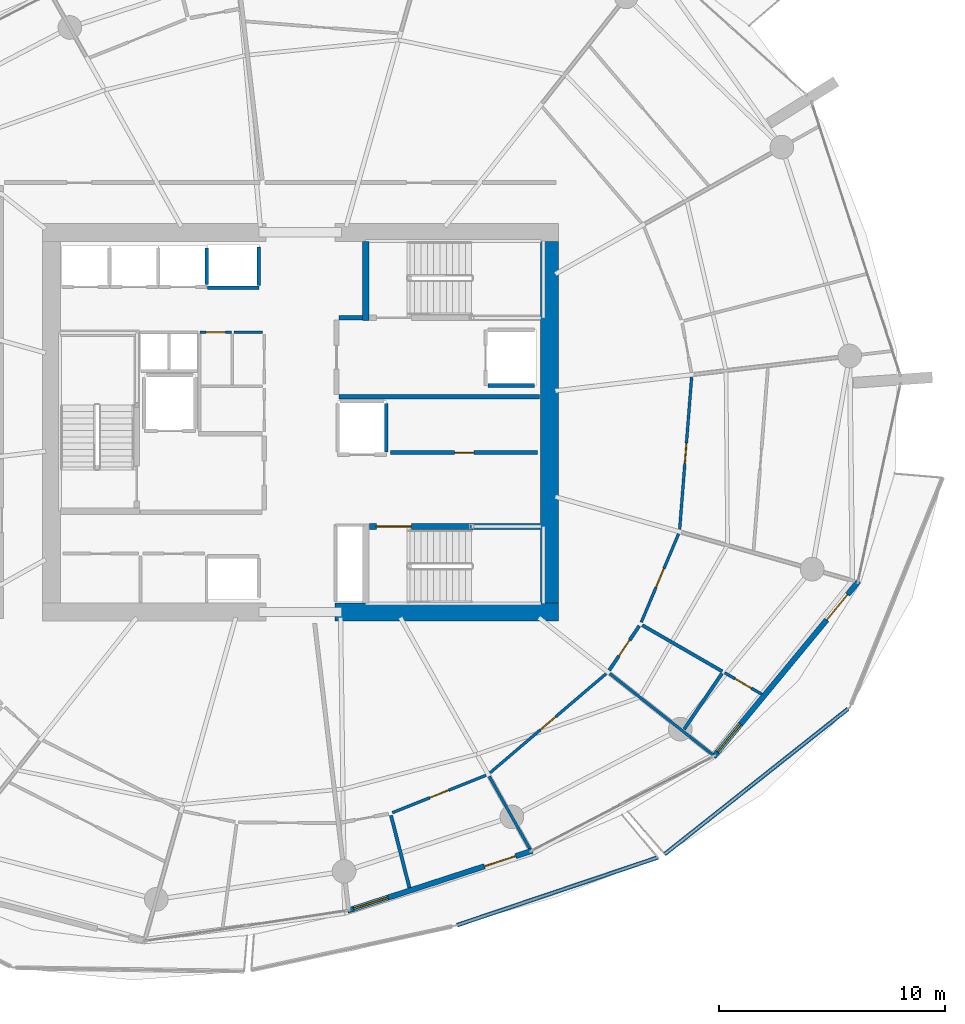
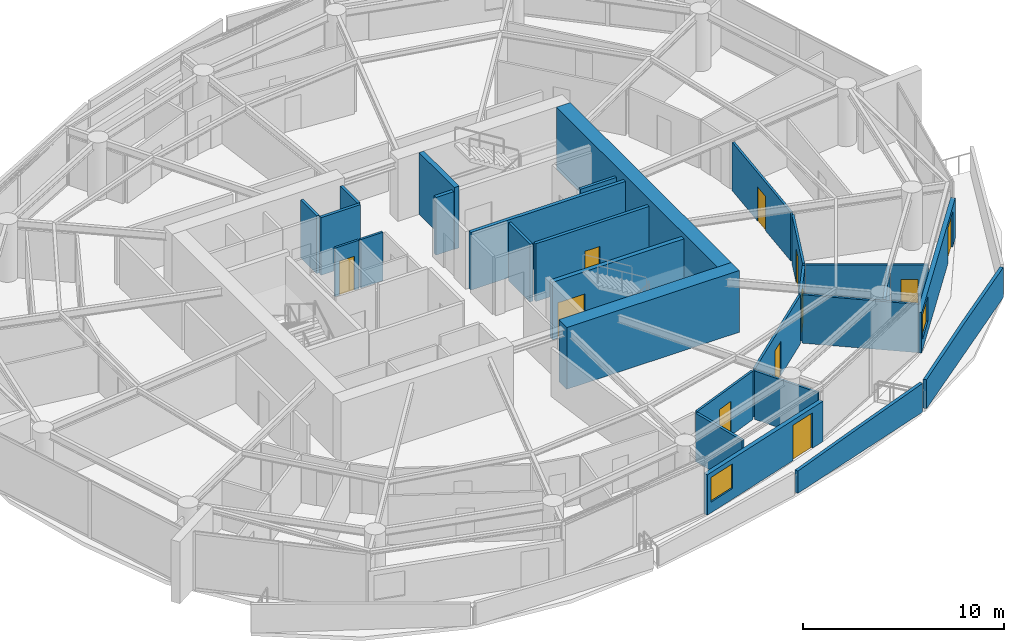
# One storey, part 13 of 20: 29 walls, 11 doors, 2 windows, 13 openings.
"""IFC4 building model written with IfcOpenShell, lengths in metres."""

from ifc_helpers import new_model, si_unit, direction, frame, frame_2d, origin, place, context, subcontext, project, spatial, polyline, rectangle, outline, extrude, material, layer, layer_set, type_object, element, fill, save


model = new_model("IFC4")

# Units and contexts
model_context = context("Model", 3, precision=1e-05, world=origin(), true_north=direction((0.0, 1.0)))
body_context = subcontext(model_context, "Body", "Model", "MODEL_VIEW")
ifc_project = project(units=[si_unit("LENGTHUNIT", "METRE"), si_unit("AREAUNIT", "SQUARE_METRE"), si_unit("VOLUMEUNIT", "CUBIC_METRE"), si_unit("PLANEANGLEUNIT", "RADIAN"), si_unit("MASSUNIT", "GRAM", prefix="KILO")], contexts=[model_context])

# Site, building, storey
site_placement = place(None, origin())
site = spatial("IfcSite", under=ifc_project, at=site_placement, CompositionType="ELEMENT")
building_placement = place(site_placement, origin())
building = spatial("IfcBuilding", under=site, at=building_placement, Name="Kazma Halo Residences", CompositionType="ELEMENT")
storey_placement = place(building_placement, frame((0.0, 0.0, 157.800048828125)))
storey = spatial("IfcBuildingStorey", under=building, at=storey_placement, Name="L39", CompositionType="ELEMENT", Elevation=157.800048828125)

# Walls
ifc_material_1 = material(Name="White Concrete C50/60 Balustrade", Category="concrete")
ifc_layer_1 = layer(ifc_material_1, 0.179931640625)
ifc_layer_set_1 = layer_set([ifc_layer_1], Name="White Concrete C50/60 Balustrade")
wall_type_1 = type_object("IfcWallType", Name="WL-BAL-WAVE-180", PredefinedType="PARAPET", material=ifc_layer_set_1)
wall_1_placement = place(storey_placement, frame((55.359619140625, 19.7373046875, 0.0), z_axis=(0.0, 0.0, 1.0), x_axis=(0.947571676397, 0.319543296113, 0.0)))
element("IfcWall", 1, at=wall_1_placement, inside=storey, type_object=wall_type_1, Name="L39 white wave balustrade wall SSE.2", PredefinedType="PARAPET", context=body_context, shape_type="SweptSolid", body=[
    extrude(outline(polyline([(0.0, 0.0), (9.383056640625, 0.0), (9.383056640625, 1.7470703125), (4.69140625, 1.56201171875), (0.0, 1.347900390625), (0.0, 0.0)])), frame((0.0, 0.08984375, 0.0), z_axis=(0.0, -1.0, 0.0), x_axis=(1.0, 0.0, 0.0)), (0.0, 0.0, 1.0), 0.179931640625),
])
wall_2_placement = place(storey_placement, frame((64.53857421875, 22.87353515625, 0.0), z_axis=(0.0, 0.0, 1.0), x_axis=(0.783643972098, 0.621210209989, 0.0)))
element("IfcWall", 2, at=wall_2_placement, inside=storey, type_object=wall_type_1, Name="L39 white wave balustrade wall SE.1", PredefinedType="PARAPET", context=body_context, shape_type="SweptSolid", body=[
    extrude(outline(polyline([(0.0, 0.0), (10.36474609375, 0.0), (10.36474609375, 1.83203125), (5.182373046875, 1.85302734375), (0.0, 1.755859375), (0.0, 0.0)])), frame((0.0, 0.08984375, 0.0), z_axis=(0.0, -1.0, 0.0), x_axis=(1.0, 0.0, 0.0)), (0.0, 0.0, 1.0), 0.179931640625),
])
ifc_material_2 = material(Name="Concrete C80/95", Category="concrete")
ifc_layer_2 = layer(ifc_material_2, 0.800048828125)
ifc_layer_set_2 = layer_set([ifc_layer_2], Name="Concrete C80/95")
wall_type_2 = type_object("IfcWallType", Name="WL-CORE-800", PredefinedType="SHEAR", material=ifc_layer_set_2)
wall_3_placement = place(storey_placement, frame((49.949951171875, 33.60009765625, 0.0), z_axis=(0.0, 0.0, 1.0), x_axis=(1.0, 0.0, 0.0)))
element("IfcWall", 3, at=wall_3_placement, inside=storey, type_object=wall_type_2, Name="L39 central core shear wall SE", PredefinedType="SHEAR", context=body_context, shape_type="SweptSolid", body=[
    extrude(rectangle(XDim=9.900146484375, YDim=0.800048828125, at=frame_2d((4.9501953125, 0.0))), origin(), (0.0, 0.0, 1.0), 3.75),
])
wall_4_placement = place(storey_placement, frame((59.449951171875, 34.0, 0.0), z_axis=(0.0, 0.0, 1.0), x_axis=(0.0, 1.0, 0.0)))
element("IfcWall", 4, at=wall_4_placement, inside=storey, type_object=wall_type_2, Name="L39 central core shear wall E", PredefinedType="SHEAR", context=body_context, shape_type="SweptSolid", body=[
    extrude(rectangle(XDim=16.0, YDim=0.800048828125, at=frame_2d((8.0, 0.0))), origin(), (0.0, 0.0, 1.0), 3.75),
])
ifc_material_3 = material(Name="Concrete C60/75", Category="concrete")
ifc_layer_3 = layer(ifc_material_3, 0.280029296875)
ifc_layer_set_3 = layer_set([ifc_layer_3], Name="Concrete C60/75")
wall_type_3 = type_object("IfcWallType", Name="WL-CORE-ST-280", PredefinedType="SHEAR", material=ifc_layer_set_3)
wall_5_placement = place(storey_placement, frame((51.31005859375, 46.5, 0.0), z_axis=(0.0, 0.0, 1.0), x_axis=(0.0, 1.0, 0.0)))
element("IfcWall", 5, at=wall_5_placement, inside=storey, type_object=wall_type_3, Name="L39 stairwell bearing wall ST02-W", PredefinedType="SHEAR", context=body_context, shape_type="SweptSolid", body=[
    extrude(rectangle(XDim=3.5, YDim=0.280029296875, at=frame_2d((1.75, 0.0))), origin(), (0.0, 0.0, 1.0), 3.75),
])

# Wall, openings, door, window
ifc_material_4 = material(Name="Insulated Pale-Metal Composite Wall")
ifc_layer_4 = layer(ifc_material_4, 0.239990234375)
ifc_layer_set_4 = layer_set([ifc_layer_4], Name="Insulated Pale-Metal Composite Wall")
wall_type_4 = type_object("IfcWallType", Name="WL-EXT-HOST-240", PredefinedType="SOLIDWALL", material=ifc_layer_set_4)
wall_6_placement = place(storey_placement, frame((50.510009765625, 20.375732421875, 0.0), z_axis=(0.0, 0.0, 1.0), x_axis=(0.951046390632, 0.309048156224, 0.0)))
wall_6 = element("IfcWall", 6, at=wall_6_placement, inside=storey, type_object=wall_type_4, Name="L39 exterior terrace-access wall B12", PredefinedType="SOLIDWALL", context=body_context, shape_type="SweptSolid", body=[
    extrude(rectangle(XDim=8.590087890625, YDim=0.239990234375, at=frame_2d((4.294921875, 0.0))), origin(), (0.0, 0.0, 1.0), 2.449951171875),
])
opening_1_placement = place(wall_6_placement, frame((6.370361328125, 0.0, 0.0)))
opening_1 = element("IfcOpeningElement", 7, at=opening_1_placement, cuts=wall_6, Name="Opening DTR-1600", PredefinedType="OPENING", context=body_context, shape_type="SweptSolid", body=[
    extrude(rectangle(XDim=1.449951171875, YDim=2.14990234375, at=frame_2d((0.72509765625, 1.074951171875))), frame((0.0, 0.1298828125, 0.0), z_axis=(0.0, -1.0, 0.0), x_axis=(1.0, 0.0, 0.0)), (0.0, 0.0, 1.0), 0.260009765625),
])
opening_2_placement = place(wall_6_placement, frame((0.280029296875, 0.0, 0.64990234375)))
opening_2 = element("IfcOpeningElement", 8, at=opening_2_placement, cuts=wall_6, Name="Opening W-1800", PredefinedType="OPENING", context=body_context, shape_type="SweptSolid", body=[
    extrude(rectangle(XDim=1.60009765625, YDim=1.5, at=frame_2d((0.800048828125, 0.75))), frame((0.0, 0.1298828125, 0.0), z_axis=(0.0, -1.0, 0.0), x_axis=(1.0, 0.0, 0.0)), (0.0, 0.0, 1.0), 0.260009765625),
])
ifc_material_5 = material(Name="Aluminium AW-6063 T6 Double-Glazed Terrace Door", Category="aluminium")
door_type_1 = type_object("IfcDoorType", Name="DR-EXT-TERR-1600", OperationType="NOTDEFINED", PredefinedType="DOOR", material=ifc_material_5)
door_1_placement = place(opening_1_placement, origin())
door_1 = element("IfcDoor", 9, at=door_1_placement, inside=storey, type_object=door_type_1, Name="L39 B12 balcony terrace door", OperationType="DOUBLE_DOOR_SLIDING", OverallHeight=2.14990234375, OverallWidth=1.449951171875, PredefinedType="DOOR", context=body_context, shape_type="SweptSolid", body=[
    extrude(rectangle(XDim=1.449951171875, YDim=2.14990234375, at=frame_2d((0.72509765625, 1.074951171875))), frame((0.0, 0.02490234375, 0.0), z_axis=(0.0, -1.0, 0.0), x_axis=(1.0, 0.0, 0.0)), (0.0, 0.0, 1.0), 0.050048828125),
])
fill(opening_1, door_1)
ifc_material_6 = material(Name="Clear Triple-Silver Low-E Glass in Aluminium AW-6063 T6 Frame", Category="aluminium")
window_type = type_object("IfcWindowType", Name="WIN-RES-1800", PartitioningType="DOUBLE_PANEL_VERTICAL", PredefinedType="WINDOW", material=ifc_material_6)
window_1_placement = place(opening_2_placement, origin())
window_1 = element("IfcWindow", 10, at=window_1_placement, inside=storey, type_object=window_type, Name="L39 B12 apartment window", OverallHeight=1.5, OverallWidth=1.60009765625, PartitioningType="SINGLE_PANEL", PredefinedType="WINDOW", context=body_context, shape_type="SweptSolid", body=[
    extrude(rectangle(XDim=1.60009765625, YDim=1.5, at=frame_2d((0.800048828125, 0.75))), frame((0.0, 0.030029296875, 0.0), z_axis=(0.0, -1.0, 0.0), x_axis=(1.0, 0.0, 0.0)), (0.0, 0.0, 1.0), 0.06005859375),
])
fill(opening_2, window_1)

wall_7_placement = place(storey_placement, frame((66.70947265625, 27.18701171875, 0.0), z_axis=(0.0, 0.0, 1.0), x_axis=(0.636771922292, 0.77105221547, 0.0)))
wall_7 = element("IfcWall", 11, at=wall_7_placement, inside=storey, type_object=wall_type_4, Name="L39 exterior terrace-access wall B14", PredefinedType="SOLIDWALL", context=body_context, shape_type="SweptSolid", body=[
    extrude(rectangle(XDim=10.08154296875, YDim=0.239990234375, at=frame_2d((5.040771484375, 0.0))), origin(), (0.0, 0.0, 1.0), 2.449951171875),
])
opening_3_placement = place(wall_7_placement, frame((7.861572265625, 0.0, 0.0)))
opening_3 = element("IfcOpeningElement", 12, at=opening_3_placement, cuts=wall_7, Name="Opening DTR-1600", PredefinedType="OPENING", context=body_context, shape_type="SweptSolid", body=[
    extrude(rectangle(XDim=1.449951171875, YDim=2.14990234375, at=frame_2d((0.72509765625, 1.074951171875))), frame((0.0, 0.1298828125, 0.0), z_axis=(0.0, -1.0, 0.0), x_axis=(1.0, 0.0, 0.0)), (0.0, 0.0, 1.0), 0.260009765625),
])
opening_4_placement = place(wall_7_placement, frame((0.280029296875, 0.0, 0.64990234375)))
opening_4 = element("IfcOpeningElement", 13, at=opening_4_placement, cuts=wall_7, Name="Opening W-1800", PredefinedType="OPENING", context=body_context, shape_type="SweptSolid", body=[
    extrude(rectangle(XDim=1.60009765625, YDim=1.5, at=frame_2d((0.800048828125, 0.75))), frame((0.0, 0.1298828125, 0.0), z_axis=(0.0, -1.0, 0.0), x_axis=(1.0, 0.0, 0.0)), (0.0, 0.0, 1.0), 0.260009765625),
])
door_2_placement = place(opening_3_placement, origin())
door_2 = element("IfcDoor", 14, at=door_2_placement, inside=storey, type_object=door_type_1, Name="L39 B14 balcony terrace door", OperationType="DOUBLE_DOOR_SLIDING", OverallHeight=2.14990234375, OverallWidth=1.449951171875, PredefinedType="DOOR", context=body_context, shape_type="SweptSolid", body=[
    extrude(rectangle(XDim=1.449951171875, YDim=2.14990234375, at=frame_2d((0.72509765625, 1.074951171875))), frame((0.0, 0.02490234375, 0.0), z_axis=(0.0, -1.0, 0.0), x_axis=(1.0, 0.0, 0.0)), (0.0, 0.0, 1.0), 0.050048828125),
])
fill(opening_3, door_2)
window_2_placement = place(opening_4_placement, origin())
window_2 = element("IfcWindow", 15, at=window_2_placement, inside=storey, type_object=window_type, Name="L39 B14 apartment window", OverallHeight=1.5, OverallWidth=1.60009765625, PartitioningType="SINGLE_PANEL", PredefinedType="WINDOW", context=body_context, shape_type="SweptSolid", body=[
    extrude(rectangle(XDim=1.60009765625, YDim=1.5, at=frame_2d((0.800048828125, 0.75))), frame((0.0, 0.030029296875, 0.0), z_axis=(0.0, -1.0, 0.0), x_axis=(1.0, 0.0, 0.0)), (0.0, 0.0, 1.0), 0.06005859375),
])
fill(opening_4, window_2)

# Walls
ifc_material_7 = material(Name="Fire-Rated Blockwork Masonry", Category="masonry")
ifc_layer_5 = layer(ifc_material_7, 0.199951171875)
ifc_layer_set_5 = layer_set([ifc_layer_5], Name="Fire-Rated Blockwork Masonry")
wall_type_5 = type_object("IfcWallType", Name="WL-FLB-200", PredefinedType="PARTITIONING", material=ifc_layer_set_5)
wall_8_placement = place(storey_placement, frame((44.27490234375, 48.094970703125, 0.0), z_axis=(0.0, 0.0, 1.0), x_axis=(0.0, 1.0, 0.0)))
element("IfcWall", 16, at=wall_8_placement, inside=storey, type_object=wall_type_5, Name="L39 lift shaft PM-03 side wall E", PredefinedType="PARTITIONING", context=body_context, shape_type="SweptSolid", body=[
    extrude(rectangle(XDim=1.610107421875, YDim=0.159912109375, at=frame_2d((0.80517578125, 0.0))), origin(), (0.0, 0.0, 1.0), 3.5),
])
wall_9_placement = place(storey_placement, frame((46.580078125, 47.945068359375, 0.0), z_axis=(0.0, 0.0, 1.0), x_axis=(-1.0, 0.0, 0.0)))
element("IfcWall", 17, at=wall_9_placement, inside=storey, type_object=wall_type_5, Name="L39 lift shaft PX-01 front wall", PredefinedType="PARTITIONING", context=body_context, shape_type="SweptSolid", body=[
    extrude(rectangle(XDim=2.260009765625, YDim=0.159912109375, at=frame_2d((1.1298828125, 0.0))), origin(), (0.0, 0.0, 1.0), 3.5),
])
wall_10_placement = place(storey_placement, frame((46.580078125, 48.044921875, 0.0), z_axis=(0.0, 0.0, 1.0), x_axis=(0.0, 1.0, 0.0)))
element("IfcWall", 18, at=wall_10_placement, inside=storey, type_object=wall_type_5, Name="L39 lift shaft PX-01 side wall E", PredefinedType="PARTITIONING", context=body_context, shape_type="SweptSolid", body=[
    extrude(rectangle(XDim=1.7099609375, YDim=0.159912109375, at=frame_2d((0.85498046875, 0.0))), origin(), (0.0, 0.0, 1.0), 3.5),
])
wall_11_placement = place(storey_placement, frame((56.719970703125, 43.6201171875, 0.0), z_axis=(0.0, 0.0, 1.0), x_axis=(1.0, 0.0, 0.0)))
element("IfcWall", 19, at=wall_11_placement, inside=storey, type_object=wall_type_5, Name="L39 lift shaft FL-02 side wall S", PredefinedType="PARTITIONING", context=body_context, shape_type="SweptSolid", body=[
    extrude(rectangle(XDim=2.06005859375, YDim=0.159912109375, at=frame_2d((1.030029296875, 0.0))), origin(), (0.0, 0.0, 1.0), 3.5),
])
wall_12_placement = place(storey_placement, frame((52.22998046875, 40.669921875, 0.0), z_axis=(0.0, 0.0, 1.0), x_axis=(0.0, 1.0, 0.0)))
element("IfcWall", 20, at=wall_12_placement, inside=storey, type_object=wall_type_5, Name="L39 lift shaft SV-01 side wall E", PredefinedType="PARTITIONING", context=body_context, shape_type="SweptSolid", body=[
    extrude(rectangle(XDim=2.16015625, YDim=0.159912109375, at=frame_2d((1.080078125, 0.0))), origin(), (0.0, 0.0, 1.0), 3.5),
])

# Wall, opening, door
wall_13_placement = place(storey_placement, frame((52.419921875, 40.64990234375, 0.0), z_axis=(0.0, 0.0, 1.0), x_axis=(1.0, 0.0, 0.0)))
wall_13 = element("IfcWall", 21, at=wall_13_placement, inside=storey, type_object=wall_type_5, Name="L39 core east reserve wall", PredefinedType="PARTITIONING", context=body_context, shape_type="SweptSolid", body=[
    extrude(rectangle(XDim=6.5, YDim=0.179931640625, at=frame_2d((3.25, 0.0))), origin(), (0.0, 0.0, 1.0), 3.5),
])
opening_5_placement = place(wall_13_placement, frame((2.824951171875, 0.0, 0.0)))
opening_5 = element("IfcOpeningElement", 22, at=opening_5_placement, cuts=wall_13, Name="Opening DS-850", PredefinedType="OPENING", context=body_context, shape_type="SweptSolid", body=[
    extrude(rectangle(XDim=0.85009765625, YDim=2.06005859375, at=frame_2d((0.425048828125, 1.030029296875))), frame((0.0, 0.099853515625, 0.0), z_axis=(0.0, -1.0, 0.0), x_axis=(1.0, 0.0, 0.0)), (0.0, 0.0, 1.0), 0.199951171875),
])
ifc_material_8 = material(Name="Painted Steel Access Leaf", Category="steel")
door_type_2 = type_object("IfcDoorType", Name="DR-SVC-850", OperationType="NOTDEFINED", PredefinedType="DOOR", material=ifc_material_8)
door_3_placement = place(opening_5_placement, origin())
door_3 = element("IfcDoor", 23, at=door_3_placement, inside=storey, type_object=door_type_2, Name="L39 core east reserve door", OperationType="SINGLE_SWING_RIGHT", OverallHeight=2.06005859375, OverallWidth=0.85009765625, PredefinedType="DOOR", context=body_context, shape_type="SweptSolid", body=[
    extrude(rectangle(XDim=0.85009765625, YDim=2.06005859375, at=frame_2d((0.425048828125, 1.030029296875))), frame((0.0, 0.02490234375, 0.0), z_axis=(0.0, -1.0, 0.0), x_axis=(1.0, 0.0, 0.0)), (0.0, 0.0, 1.0), 0.050048828125),
])
fill(opening_5, door_3)

# Walls
wall_14_placement = place(storey_placement, frame((50.1201171875, 43.1201171875, 0.0), z_axis=(0.0, 0.0, 1.0), x_axis=(1.0, 0.0, 0.0)))
element("IfcWall", 24, at=wall_14_placement, inside=storey, type_object=wall_type_5, Name="L39 east firefighting lobby south smoke wall", PredefinedType="PARTITIONING", context=body_context, shape_type="SweptSolid", body=[
    extrude(rectangle(XDim=8.8798828125, YDim=0.199951171875, at=frame_2d((4.43994140625, 0.0))), origin(), (0.0, 0.0, 1.0), 3.5),
])
wall_15_placement = place(storey_placement, frame((50.139892578125, 46.6201171875, 0.0), z_axis=(0.0, 0.0, 1.0), x_axis=(1.0, 0.0, 0.0)))
element("IfcWall", 25, at=wall_15_placement, inside=storey, type_object=wall_type_5, Name="L39 east firefighting lobby north closure wall", PredefinedType="PARTITIONING", context=body_context, shape_type="SweptSolid", body=[
    extrude(rectangle(XDim=1.02001953125, YDim=0.199951171875, at=frame_2d((0.510009765625, 0.0))), origin(), (0.0, 0.0, 1.0), 3.5),
])

# Wall, opening, door
ifc_material_9 = material(Name="Gypsum Plasterboard Partition")
ifc_layer_6 = layer(ifc_material_9, 0.125)
ifc_layer_set_6 = layer_set([ifc_layer_6], Name="Gypsum Plasterboard Partition")
wall_type_6 = type_object("IfcWallType", Name="WL-PART-125", PredefinedType="PARTITIONING", material=ifc_layer_set_6)
wall_16_placement = place(storey_placement, frame((43.989990234375, 45.97998046875, 0.0), z_axis=(0.0, 0.0, 1.0), x_axis=(1.0, 0.0, 0.0)))
wall_16 = element("IfcWall", 26, at=wall_16_placement, inside=storey, type_object=wall_type_6, Name="L39 cleaners cupboard north wall", PredefinedType="PARTITIONING", context=body_context, shape_type="SweptSolid", body=[
    extrude(rectangle(XDim=1.380126953125, YDim=0.125, at=frame_2d((0.68994140625, 0.0))), origin(), (0.0, 0.0, 1.0), 2.93994140625),
])
opening_6_placement = place(wall_16_placement, frame((0.264892578125, 0.0, 0.0)))
opening_6 = element("IfcOpeningElement", 27, at=opening_6_placement, cuts=wall_16, Name="Opening DS-850", PredefinedType="OPENING", context=body_context, shape_type="SweptSolid", body=[
    extrude(rectangle(XDim=0.85009765625, YDim=2.06005859375, at=frame_2d((0.425048828125, 1.030029296875))), frame((0.0, 0.072509765625, 0.0), z_axis=(0.0, -1.0, 0.0), x_axis=(1.0, 0.0, 0.0)), (0.0, 0.0, 1.0), 0.14501953125),
])
door_4_placement = place(opening_6_placement, origin())
door_4 = element("IfcDoor", 28, at=door_4_placement, inside=storey, type_object=door_type_2, Name="L39 cleaners cupboard door", OperationType="SINGLE_SWING_RIGHT", OverallHeight=2.06005859375, OverallWidth=0.85009765625, PredefinedType="DOOR", context=body_context, shape_type="SweptSolid", body=[
    extrude(rectangle(XDim=0.85009765625, YDim=2.06005859375, at=frame_2d((0.425048828125, 1.030029296875))), frame((0.0, 0.02490234375, 0.0), z_axis=(0.0, -1.0, 0.0), x_axis=(1.0, 0.0, 0.0)), (0.0, 0.0, 1.0), 0.050048828125),
])
fill(opening_6, door_4)

# Wall
wall_17_placement = place(storey_placement, frame((45.47998046875, 45.97998046875, 0.0), z_axis=(0.0, 0.0, 1.0), x_axis=(1.0, 0.0, 0.0)))
element("IfcWall", 29, at=wall_17_placement, inside=storey, type_object=wall_type_6, Name="L39 sub-metering north wall", PredefinedType="PARTITIONING", context=body_context, shape_type="SweptSolid", body=[
    extrude(rectangle(XDim=1.260009765625, YDim=0.125, at=frame_2d((0.6298828125, 0.0))), origin(), (0.0, 0.0, 1.0), 2.93994140625),
])

# Wall, opening, door
wall_18_placement = place(storey_placement, frame((52.49365234375, 24.716064453125, 0.0), z_axis=(0.0, 0.0, 1.0), x_axis=(0.928695316587, 0.370843644882, 0.0)))
wall_18 = element("IfcWall", 30, at=wall_18_placement, inside=storey, type_object=wall_type_6, Name="L39 Apartment 3 Gourmet Kitchen hall wall", PredefinedType="PARTITIONING", context=body_context, shape_type="SweptSolid", body=[
    extrude(rectangle(XDim=4.463623046875, YDim=0.125, at=frame_2d((2.23193359375, 0.0))), origin(), (0.0, 0.0, 1.0), 2.93994140625),
])
opening_7_placement = place(wall_18_placement, frame((1.78173828125, 0.0, 0.0)))
opening_7 = element("IfcOpeningElement", 31, at=opening_7_placement, cuts=wall_18, Name="Opening DI-950", PredefinedType="OPENING", context=body_context, shape_type="SweptSolid", body=[
    extrude(rectangle(XDim=0.89990234375, YDim=2.080078125, at=frame_2d((0.449951171875, 1.0400390625))), frame((0.0, 0.072509765625, 0.0), z_axis=(0.0, -1.0, 0.0), x_axis=(1.0, 0.0, 0.0)), (0.0, 0.0, 1.0), 0.14501953125),
])
ifc_material_10 = material(Name="Timber Veneer Flush Leaf", Category="wood")
door_type_3 = type_object("IfcDoorType", Name="DR-INT-950", OperationType="NOTDEFINED", PredefinedType="DOOR", material=ifc_material_10)
door_5_placement = place(opening_7_placement, origin())
door_5 = element("IfcDoor", 32, at=door_5_placement, inside=storey, type_object=door_type_3, Name="L39 Apartment 3 Gourmet Kitchen door", OperationType="SINGLE_SWING_LEFT", OverallHeight=2.080078125, OverallWidth=0.89990234375, PredefinedType="DOOR", context=body_context, shape_type="SweptSolid", body=[
    extrude(rectangle(XDim=0.89990234375, YDim=2.080078125, at=frame_2d((0.449951171875, 1.0400390625))), frame((0.0, 0.02490234375, 0.0), z_axis=(0.0, -1.0, 0.0), x_axis=(1.0, 0.0, 0.0)), (0.0, 0.0, 1.0), 0.050048828125),
])
fill(opening_7, door_5)

# Wall
wall_19_placement = place(storey_placement, frame((56.780517578125, 26.3212890625, 0.0), z_axis=(0.0, 0.0, 1.0), x_axis=(0.488615541235, -0.872499199348, 0.0)))
element("IfcWall", 33, at=wall_19_placement, inside=storey, type_object=wall_type_6, Name="L39 Apartment 3 radial partition 12", PredefinedType="PARTITIONING", context=body_context, shape_type="SweptSolid", body=[
    extrude(rectangle(XDim=3.66455078125, YDim=0.125, at=frame_2d((1.832275390625, 0.0))), origin(), (0.0, 0.0, 1.0), 2.93994140625),
])

# Wall, opening, door
wall_20_placement = place(storey_placement, frame((56.815185546875, 26.47998046875, 0.0), z_axis=(0.0, 0.0, 1.0), x_axis=(0.760406411553, 0.649447526186, 0.0)))
wall_20 = element("IfcWall", 34, at=wall_20_placement, inside=storey, type_object=wall_type_6, Name="L39 Apartment 3 East Formal Dining Room gallery wall", PredefinedType="PARTITIONING", context=body_context, shape_type="SweptSolid", body=[
    extrude(rectangle(XDim=6.752685546875, YDim=0.125, at=frame_2d((3.37646484375, 0.0))), origin(), (0.0, 0.0, 1.0), 2.93994140625),
])
opening_8_placement = place(wall_20_placement, frame((2.92626953125, 0.0, 0.0)))
opening_8 = element("IfcOpeningElement", 35, at=opening_8_placement, cuts=wall_20, Name="Opening DI-950", PredefinedType="OPENING", context=body_context, shape_type="SweptSolid", body=[
    extrude(rectangle(XDim=0.89990234375, YDim=2.080078125, at=frame_2d((0.449951171875, 1.0400390625))), frame((0.0, 0.072509765625, 0.0), z_axis=(0.0, -1.0, 0.0), x_axis=(1.0, 0.0, 0.0)), (0.0, 0.0, 1.0), 0.14501953125),
])
door_6_placement = place(opening_8_placement, origin())
door_6 = element("IfcDoor", 36, at=door_6_placement, inside=storey, type_object=door_type_3, Name="L39 Apartment 3 East Formal Dining Room door", OperationType="SINGLE_SWING_RIGHT", OverallHeight=2.080078125, OverallWidth=0.89990234375, PredefinedType="DOOR", context=body_context, shape_type="SweptSolid", body=[
    extrude(rectangle(XDim=0.89990234375, YDim=2.080078125, at=frame_2d((0.449951171875, 1.0400390625))), frame((0.0, 0.02490234375, 0.0), z_axis=(0.0, -1.0, 0.0), x_axis=(1.0, 0.0, 0.0)), (0.0, 0.0, 1.0), 0.050048828125),
])
fill(opening_8, door_6)

# Wall
wall_21_placement = place(storey_placement, frame((62.112060546875, 30.875, 0.0), z_axis=(0.0, 0.0, 1.0), x_axis=(0.785328664081, -0.619079065526, 0.0)))
element("IfcWall", 37, at=wall_21_placement, inside=storey, type_object=wall_type_6, Name="L39 Apartment 3 radial partition 13", PredefinedType="PARTITIONING", context=body_context, shape_type="SweptSolid", body=[
    extrude(rectangle(XDim=5.86962890625, YDim=0.125, at=frame_2d((2.934814453125, 0.0))), origin(), (0.0, 0.0, 1.0), 2.93994140625),
])

# Wall, opening, door
wall_22_placement = place(storey_placement, frame((67.20556640625, 30.905029296875, 0.0), z_axis=(0.0, 0.0, 1.0), x_axis=(0.865877522555, -0.500256050372, 0.0)))
wall_22 = element("IfcWall", 38, at=wall_22_placement, inside=storey, type_object=wall_type_6, Name="L39 Apartment 3 North Walk-In Wardrobe partition wall", PredefinedType="PARTITIONING", context=body_context, shape_type="SweptSolid", body=[
    extrude(rectangle(XDim=1.8876953125, YDim=0.125, at=frame_2d((0.94384765625, 0.0))), origin(), (0.0, 0.0, 1.0), 2.93994140625),
])
opening_9_placement = place(wall_22_placement, frame((0.518798828125, 0.0, 0.0)))
opening_9 = element("IfcOpeningElement", 39, at=opening_9_placement, cuts=wall_22, Name="Opening DB-900", PredefinedType="OPENING", context=body_context, shape_type="SweptSolid", body=[
    extrude(rectangle(XDim=0.85009765625, YDim=2.06005859375, at=frame_2d((0.425048828125, 1.030029296875))), frame((0.0, 0.072509765625, 0.0), z_axis=(0.0, -1.0, 0.0), x_axis=(1.0, 0.0, 0.0)), (0.0, 0.0, 1.0), 0.14501953125),
])
ifc_material_11 = material(Name="Moisture-Sealed Timber Leaf", Category="wood")
door_type_4 = type_object("IfcDoorType", Name="DR-BTH-900", OperationType="NOTDEFINED", PredefinedType="DOOR", material=ifc_material_11)
door_7_placement = place(opening_9_placement, origin())
door_7 = element("IfcDoor", 40, at=door_7_placement, inside=storey, type_object=door_type_4, Name="L39 Apartment 3 North Walk-In Wardrobe door", OperationType="SINGLE_SWING_RIGHT", OverallHeight=2.06005859375, OverallWidth=0.85009765625, PredefinedType="DOOR", context=body_context, shape_type="SweptSolid", body=[
    extrude(rectangle(XDim=0.85009765625, YDim=2.06005859375, at=frame_2d((0.425048828125, 1.030029296875))), frame((0.0, 0.02490234375, 0.0), z_axis=(0.0, -1.0, 0.0), x_axis=(1.0, 0.0, 0.0)), (0.0, 0.0, 1.0), 0.050048828125),
])
fill(opening_9, door_7)

wall_23_placement = place(storey_placement, frame((63.508544921875, 33.143798828125, 0.0), z_axis=(0.0, 0.0, 1.0), x_axis=(0.38881485578, 0.921315911034, 0.0)))
wall_23 = element("IfcWall", 41, at=wall_23_placement, inside=storey, type_object=wall_type_6, Name="L39 Apartment 3 South Master Bedroom hall wall", PredefinedType="PARTITIONING", context=body_context, shape_type="SweptSolid", body=[
    extrude(rectangle(XDim=4.247802734375, YDim=0.125, at=frame_2d((2.1240234375, 0.0))), origin(), (0.0, 0.0, 1.0), 2.93994140625),
])
opening_10_placement = place(wall_23_placement, frame((1.673828125, 0.0, 0.0)))
opening_10 = element("IfcOpeningElement", 42, at=opening_10_placement, cuts=wall_23, Name="Opening DI-950", PredefinedType="OPENING", context=body_context, shape_type="SweptSolid", body=[
    extrude(rectangle(XDim=0.89990234375, YDim=2.080078125, at=frame_2d((0.449951171875, 1.0400390625))), frame((0.0, 0.072509765625, 0.0), z_axis=(0.0, -1.0, 0.0), x_axis=(1.0, 0.0, 0.0)), (0.0, 0.0, 1.0), 0.14501953125),
])
door_8_placement = place(opening_10_placement, origin())
door_8 = element("IfcDoor", 43, at=door_8_placement, inside=storey, type_object=door_type_3, Name="L39 Apartment 3 South Master Bedroom door", OperationType="SINGLE_SWING_LEFT", OverallHeight=2.080078125, OverallWidth=0.89990234375, PredefinedType="DOOR", context=body_context, shape_type="SweptSolid", body=[
    extrude(rectangle(XDim=0.89990234375, YDim=2.080078125, at=frame_2d((0.449951171875, 1.0400390625))), frame((0.0, 0.02490234375, 0.0), z_axis=(0.0, -1.0, 0.0), x_axis=(1.0, 0.0, 0.0)), (0.0, 0.0, 1.0), 0.050048828125),
])
fill(opening_10, door_8)

wall_24_placement = place(storey_placement, frame((65.207763671875, 37.259033203125, 0.0), z_axis=(0.0, 0.0, 1.0), x_axis=(0.078457580711, 0.996917452966, 0.0)))
wall_24 = element("IfcWall", 44, at=wall_24_placement, inside=storey, type_object=wall_type_6, Name="L39 Apartment 3 Inner Study hall wall", PredefinedType="PARTITIONING", context=body_context, shape_type="SweptSolid", body=[
    extrude(rectangle(XDim=6.75244140625, YDim=0.125, at=frame_2d((3.376220703125, 0.0))), origin(), (0.0, 0.0, 1.0), 2.93994140625),
])
opening_11_placement = place(wall_24_placement, frame((2.92626953125, 0.0, 0.0)))
opening_11 = element("IfcOpeningElement", 45, at=opening_11_placement, cuts=wall_24, Name="Opening DI-950", PredefinedType="OPENING", context=body_context, shape_type="SweptSolid", body=[
    extrude(rectangle(XDim=0.89990234375, YDim=2.080078125, at=frame_2d((0.449951171875, 1.0400390625))), frame((0.0, 0.072509765625, 0.0), z_axis=(0.0, -1.0, 0.0), x_axis=(1.0, 0.0, 0.0)), (0.0, 0.0, 1.0), 0.14501953125),
])
door_9_placement = place(opening_11_placement, origin())
door_9 = element("IfcDoor", 46, at=door_9_placement, inside=storey, type_object=door_type_3, Name="L39 Apartment 3 Inner Study door", OperationType="SINGLE_SWING_RIGHT", OverallHeight=2.080078125, OverallWidth=0.89990234375, PredefinedType="DOOR", context=body_context, shape_type="SweptSolid", body=[
    extrude(rectangle(XDim=0.89990234375, YDim=2.080078125, at=frame_2d((0.449951171875, 1.0400390625))), frame((0.0, 0.02490234375, 0.0), z_axis=(0.0, -1.0, 0.0), x_axis=(1.0, 0.0, 0.0)), (0.0, 0.0, 1.0), 0.050048828125),
])
fill(opening_11, door_9)

ifc_material_12 = material(Name="Concrete C50/60", Category="concrete")
ifc_layer_7 = layer(ifc_material_12, 0.25)
ifc_layer_set_7 = layer_set([ifc_layer_7], Name="Concrete C50/60")
wall_type_7 = type_object("IfcWallType", Name="WL-SHF-250", PredefinedType="SOLIDWALL", material=ifc_layer_set_7)
wall_25_placement = place(storey_placement, frame((51.47998046875, 37.3798828125, 0.0), z_axis=(0.0, 0.0, 1.0), x_axis=(1.0, 0.0, 0.0)))
wall_25 = element("IfcWall", 47, at=wall_25_placement, inside=storey, type_object=wall_type_7, Name="L39 exit stair ST-03 enclosure wall", PredefinedType="SOLIDWALL", context=body_context, shape_type="SweptSolid", body=[
    extrude(rectangle(XDim=7.5400390625, YDim=0.25, at=frame_2d((3.77001953125, 0.0))), origin(), (0.0, 0.0, 1.0), 3.5),
])
opening_12_placement = place(wall_25_placement, frame((0.300048828125, 0.0, 0.0)))
opening_12 = element("IfcOpeningElement", 48, at=opening_12_placement, cuts=wall_25, Name="Opening D-ST3", PredefinedType="OPENING", context=body_context, shape_type="SweptSolid", body=[
    extrude(rectangle(XDim=1.550048828125, YDim=2.14990234375, at=frame_2d((0.77490234375, 1.074951171875))), frame((0.0, 0.135009765625, 0.0), z_axis=(0.0, -1.0, 0.0), x_axis=(1.0, 0.0, 0.0)), (0.0, 0.0, 1.0), 0.27001953125),
])
ifc_material_13 = material(Name="Fire-Rated Double Steel Leaf", Category="steel")
door_type_5 = type_object("IfcDoorType", Name="DR-FD90-1550", OperationType="NOTDEFINED", PredefinedType="DOOR", material=ifc_material_13)
door_10_placement = place(opening_12_placement, origin())
door_10 = element("IfcDoor", 49, at=door_10_placement, inside=storey, type_object=door_type_5, Name="L39 exit stair ST-03 fire door", OperationType="DOUBLE_DOOR_SINGLE_SWING", OverallHeight=2.14990234375, OverallWidth=1.550048828125, PredefinedType="DOOR", context=body_context, shape_type="SweptSolid", body=[
    extrude(rectangle(XDim=1.550048828125, YDim=2.14990234375, at=frame_2d((0.77490234375, 1.074951171875))), frame((0.0, 0.02490234375, 0.0), z_axis=(0.0, -1.0, 0.0), x_axis=(1.0, 0.0, 0.0)), (0.0, 0.0, 1.0), 0.050048828125),
])
fill(opening_12, door_10)

# Wall
ifc_material_14 = material(Name="Moisture-Resistant Gypsum")
ifc_layer_8 = layer(ifc_material_14, 0.14990234375)
ifc_layer_set_8 = layer_set([ifc_layer_8], Name="Moisture-Resistant Gypsum")
wall_type_8 = type_object("IfcWallType", Name="WL-WET-150", PredefinedType="PARTITIONING", material=ifc_layer_set_8)
wall_26_placement = place(storey_placement, frame((52.432373046875, 24.595458984375, 0.0), z_axis=(0.0, 0.0, 1.0), x_axis=(0.246779038105, -0.969071775645, 0.0)))
element("IfcWall", 50, at=wall_26_placement, inside=storey, type_object=wall_type_8, Name="L39 Apartment 3 Guest Bathroom side wall", PredefinedType="PARTITIONING", context=body_context, shape_type="SweptSolid", body=[
    extrude(rectangle(XDim=3.30126953125, YDim=0.14990234375, at=frame_2d((1.650634765625, 0.0))), origin(), (0.0, 0.0, 1.0), 2.93994140625),
])

# Wall, opening, door
wall_27_placement = place(storey_placement, frame((62.089599609375, 31.01953125, 0.0), z_axis=(0.0, 0.0, 1.0), x_axis=(0.561179778306, 0.827693938857, 0.0)))
wall_27 = element("IfcWall", 51, at=wall_27_placement, inside=storey, type_object=wall_type_8, Name="L39 Apartment 3 West En-Suite Bathroom hall wall", PredefinedType="PARTITIONING", context=body_context, shape_type="SweptSolid", body=[
    extrude(rectangle(XDim=2.376220703125, YDim=0.14990234375, at=frame_2d((1.18798828125, 0.0))), origin(), (0.0, 0.0, 1.0), 2.93994140625),
])
opening_13_placement = place(wall_27_placement, frame((0.76318359375, 0.0, 0.0)))
opening_13 = element("IfcOpeningElement", 52, at=opening_13_placement, cuts=wall_27, Name="Opening DB-900", PredefinedType="OPENING", context=body_context, shape_type="SweptSolid", body=[
    extrude(rectangle(XDim=0.85009765625, YDim=2.06005859375, at=frame_2d((0.425048828125, 1.030029296875))), frame((0.0, 0.0849609375, 0.0), z_axis=(0.0, -1.0, 0.0), x_axis=(1.0, 0.0, 0.0)), (0.0, 0.0, 1.0), 0.169921875),
])
door_11_placement = place(opening_13_placement, origin())
door_11 = element("IfcDoor", 53, at=door_11_placement, inside=storey, type_object=door_type_4, Name="L39 Apartment 3 West En-Suite Bathroom door", OperationType="SINGLE_SWING_LEFT", OverallHeight=2.06005859375, OverallWidth=0.85009765625, PredefinedType="DOOR", context=body_context, shape_type="SweptSolid", body=[
    extrude(rectangle(XDim=0.85009765625, YDim=2.06005859375, at=frame_2d((0.425048828125, 1.030029296875))), frame((0.0, 0.02490234375, 0.0), z_axis=(0.0, -1.0, 0.0), x_axis=(1.0, 0.0, 0.0)), (0.0, 0.0, 1.0), 0.050048828125),
])
fill(opening_13, door_11)

# Walls
wall_28_placement = place(storey_placement, frame((65.40380859375, 28.406982421875, 0.0), z_axis=(0.0, 0.0, 1.0), x_axis=(0.561106969612, 0.827743298767, 0.0)))
element("IfcWall", 54, at=wall_28_placement, inside=storey, type_object=wall_type_8, Name="L39 Apartment 3 West En-Suite Bathroom back wall", PredefinedType="PARTITIONING", context=body_context, shape_type="SweptSolid", body=[
    extrude(rectangle(XDim=2.982177734375, YDim=0.14990234375, at=frame_2d((1.4912109375, 0.0))), origin(), (0.0, 0.0, 1.0), 2.93994140625),
])
wall_29_placement = place(storey_placement, frame((63.551513671875, 33.015869140625, 0.0), z_axis=(0.0, 0.0, 1.0), x_axis=(0.865897249189, -0.500221904605, 0.0)))
element("IfcWall", 55, at=wall_29_placement, inside=storey, type_object=wall_type_8, Name="L39 Apartment 3 West En-Suite Bathroom side wall", PredefinedType="PARTITIONING", context=body_context, shape_type="SweptSolid", body=[
    extrude(rectangle(XDim=4.090087890625, YDim=0.14990234375, at=frame_2d((2.044921875, 0.0))), origin(), (0.0, 0.0, 1.0), 2.93994140625),
])

save(model, "model.ifc")
